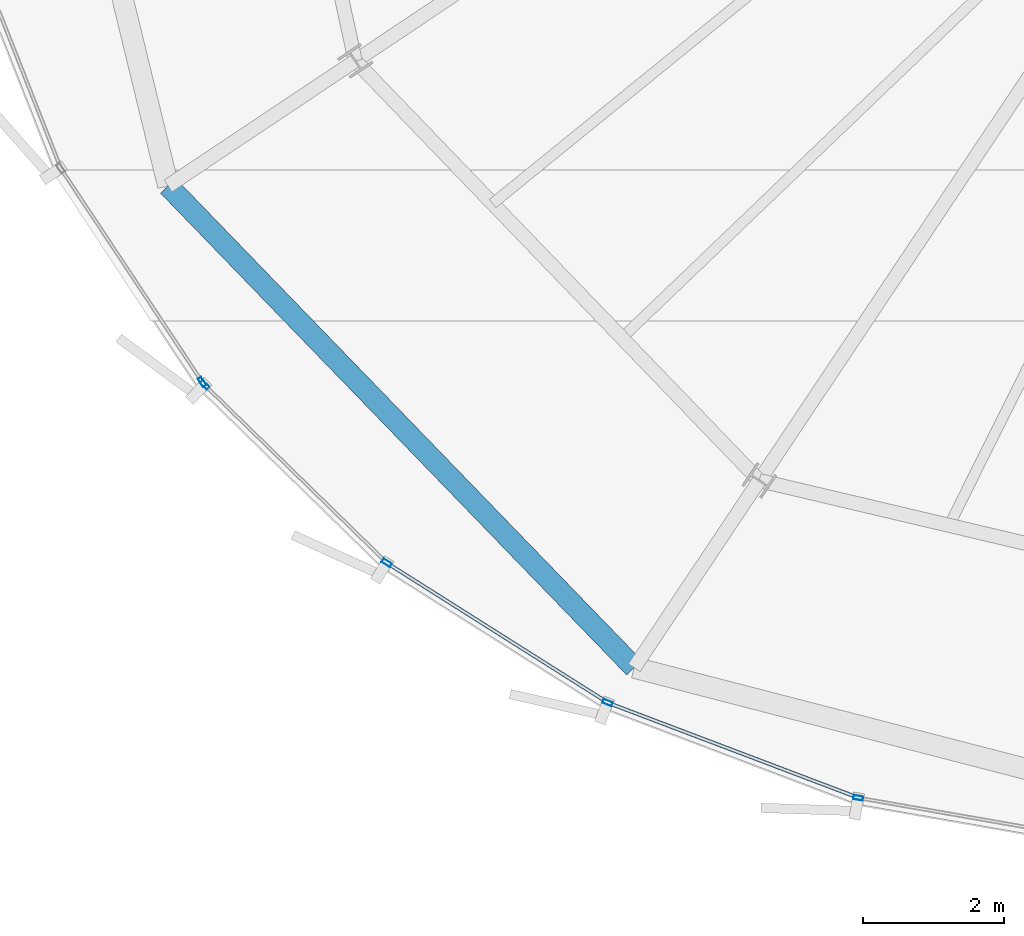
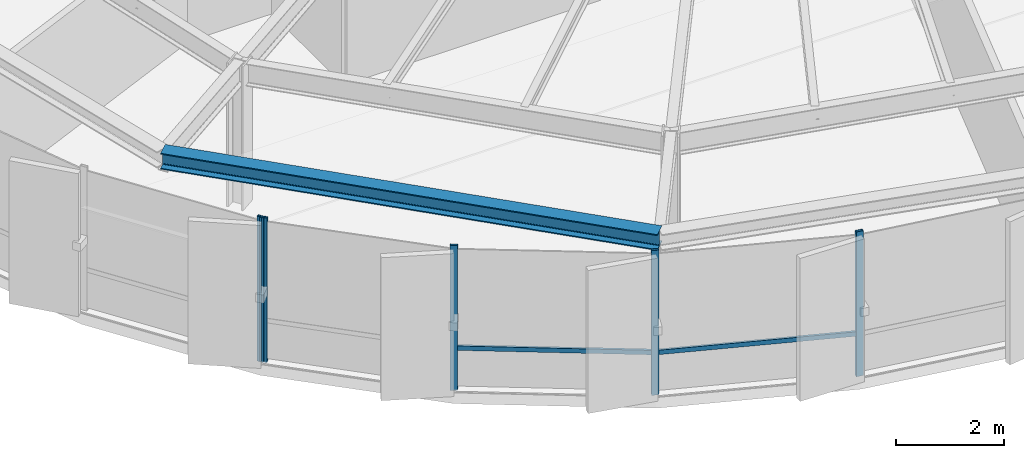
# One storey, part 2 of 35: 7 members, 1 beam, 2 elements without a shape of their own.
"""IFC4 building model written with IfcOpenShell, lengths in metres."""

import ifcopenshell
import ifcopenshell.guid

model = None  # the IFC model being written
_history = None  # IfcOwnerHistory: only IFC2X3 demands one
_inside = {}  # id of a spatial element -> (the spatial element, [elements in it])
_under = {}  # id of a project, library or spatial element -> (it, [spatial elements below it])
_declared = {}  # id of a project -> (the project, [libraries it declares])
_typed = {}  # id of a type object -> (the type object, [elements of that type])
_made_of = {}  # id of a material, layer set ... -> (it, [elements and type objects made of it])


def new_model(schema):
    """Start an empty IFC model of exactly this schema.

    Asked for "IFC4X3", IfcOpenShell would pick the latest addendum, in which some entities
    have other attributes; the version numbers below select the first issue.
    IFC2X3 requires an IfcOwnerHistory on every rooted entity: one is made here for all.
    """
    global model, _history
    if schema == "IFC4X3":
        model = ifcopenshell.file(schema_version=(4, 3, 0, 0))
    else:
        model = ifcopenshell.file(schema=schema)
    _inside.clear()
    _under.clear()
    _declared.clear()
    _typed.clear()
    _made_of.clear()
    _history = None
    if model.schema == "IFC2X3":
        org = make("IfcOrganization", Name="unknown")
        user = make(
            "IfcPersonAndOrganization",
            ThePerson=make("IfcPerson", FamilyName="unknown"),
            TheOrganization=org,
        )
        app = make(
            "IfcApplication",
            ApplicationDeveloper=org,
            Version="unknown",
            ApplicationFullName="unknown",
            ApplicationIdentifier="unknown",
        )
        _history = make(
            "IfcOwnerHistory",
            OwningUser=user,
            OwningApplication=app,
            ChangeAction="ADDED",
            CreationDate=0,
        )
    return model


def make(cls, **values):
    """One entity of the class cls with the attributes given. An attribute that is None is left unset."""
    return model.create_entity(
        cls, **{name: value for name, value in values.items() if value is not None}
    )


def rooted(cls, **values):
    """An entity with a GlobalId (a new one), such as an element, a storey or a relation."""
    return make(cls, GlobalId=ifcopenshell.guid.new(), OwnerHistory=_history, **values)


def si_unit(unit_type, name, prefix=None):
    """IfcSIUnit, for example si_unit("LENGTHUNIT", "METRE", prefix="MILLI")."""
    return make("IfcSIUnit", UnitType=unit_type, Prefix=prefix, Name=name)


def assignment(units):
    """IfcUnitAssignment: the units of a project."""
    return None if units is None else make("IfcUnitAssignment", Units=units)


def point(xyz):
    """IfcCartesianPoint."""
    return None if xyz is None else make("IfcCartesianPoint", Coordinates=xyz)


def direction(xyz):
    """IfcDirection."""
    return None if xyz is None else make("IfcDirection", DirectionRatios=xyz)


def frame(location, z_axis=None, x_axis=None):
    """IfcAxis2Placement3D, a coordinate frame: its origin and axes. An axis left out is left unset."""
    return make(
        "IfcAxis2Placement3D",
        Location=point(location),
        Axis=direction(z_axis),
        RefDirection=direction(x_axis),
    )


def frame_2d(location, x_axis=None):
    """IfcAxis2Placement2D, a coordinate frame in the plane: its origin and x axis."""
    return make(
        "IfcAxis2Placement2D", Location=point(location), RefDirection=direction(x_axis)
    )


def origin():
    """The frame at (0, 0, 0) with its axes left unset."""
    return frame((0.0, 0.0, 0.0))


def origin_2d():
    """The frame at (0, 0) in the plane with its x axis left unset."""
    return frame_2d((0.0, 0.0))


def place(relative_to, where):
    """IfcLocalPlacement: puts the frame where relative to a parent placement (None: the world)."""
    return make(
        "IfcLocalPlacement", PlacementRelTo=relative_to, RelativePlacement=where
    )


def context(
    kind, dimensions, precision=None, world=None, true_north=None, identifier=None
):
    """IfcGeometricRepresentationContext, for example the 3D "Model" context."""
    return make(
        "IfcGeometricRepresentationContext",
        ContextIdentifier=identifier,
        ContextType=kind,
        CoordinateSpaceDimension=dimensions,
        Precision=precision,
        WorldCoordinateSystem=world,
        TrueNorth=true_north,
    )


def subcontext(parent, identifier, kind, view, scale=None):
    """IfcGeometricRepresentationSubContext, for example "Body" below "Model"."""
    return make(
        "IfcGeometricRepresentationSubContext",
        ContextIdentifier=identifier,
        ContextType=kind,
        ParentContext=parent,
        TargetScale=scale,
        TargetView=view,
    )


def project(units=None, contexts=None):
    """IfcProject with its units and contexts."""
    return rooted(
        "IfcProject",
        Name="project",
        RepresentationContexts=contexts,
        UnitsInContext=assignment(units),
    )


def spatial(cls, under=None, at=None, **own):
    """A site, building, storey or space (cls), placed at a placement, below another one or the project."""
    s = rooted(cls, ObjectPlacement=at, **own)
    if under is not None:
        _under.setdefault(under.id(), (under, []))[1].append(s)
    return s


def profile(cls, at=None, kind="AREA", **sizes):
    """A parametric profile (cls). Its sizes go by their IFC names, for example OverallWidth=200.0."""
    return make(cls, ProfileType=kind, Position=at, **sizes)


def hollow_rectangle(**sizes):
    """IfcRectangleHollowProfileDef."""
    return profile("IfcRectangleHollowProfileDef", **sizes)


def i_section(**sizes):
    """IfcIShapeProfileDef."""
    return profile("IfcIShapeProfileDef", **sizes)


def extrude(swept, where, along, depth):
    """IfcExtrudedAreaSolid: the profile swept, set in the frame where, extruded along a direction by depth."""
    return make(
        "IfcExtrudedAreaSolid",
        SweptArea=swept,
        Position=where,
        ExtrudedDirection=direction(along),
        Depth=depth,
    )


def shape(context_of_items, identifier, shape_type, items):
    """IfcShapeRepresentation: the items that make up one representation, for example the "Body"."""
    return make(
        "IfcShapeRepresentation",
        ContextOfItems=context_of_items,
        RepresentationIdentifier=identifier,
        RepresentationType=shape_type,
        Items=items,
    )


def source(mapping_origin, context_of_items, identifier, shape_type, items):
    """IfcRepresentationMap: a shape defined once, which mapped items show again and again."""
    return make(
        "IfcRepresentationMap",
        MappingOrigin=mapping_origin,
        MappedRepresentation=shape(context_of_items, identifier, shape_type, items),
    )


def transform(
    local_origin,
    x_axis=None,
    y_axis=None,
    z_axis=None,
    scale=None,
    scale2=None,
    scale3=None,
    uniform=True,
):
    """IfcCartesianTransformationOperator3D, or its non-uniform kind. x_axis, y_axis, z_axis: its Axis1, 2, 3."""
    if uniform:
        return make(
            "IfcCartesianTransformationOperator3D",
            Axis1=direction(x_axis),
            Axis2=direction(y_axis),
            LocalOrigin=point(local_origin),
            Scale=scale,
            Axis3=direction(z_axis),
        )
    return make(
        "IfcCartesianTransformationOperator3DnonUniform",
        Axis1=direction(x_axis),
        Axis2=direction(y_axis),
        LocalOrigin=point(local_origin),
        Scale=scale,
        Axis3=direction(z_axis),
        Scale2=scale2,
        Scale3=scale3,
    )


def mapped(mapping_source, mapping_target):
    """IfcMappedItem: shows the shape of a source again, moved by a transform."""
    return make(
        "IfcMappedItem", MappingSource=mapping_source, MappingTarget=mapping_target
    )


def material(Name=None, Category=None):
    """IfcMaterial."""
    return make("IfcMaterial", Name=Name, Category=Category)


def layer(
    of_material, thickness, ventilated=None, Name=None, Category=None, Priority=None
):
    """IfcMaterialLayer: one layer of a wall or slab, of a material (None: an air gap)."""
    return make(
        "IfcMaterialLayer",
        Material=of_material,
        LayerThickness=thickness,
        IsVentilated=ventilated,
        Name=Name,
        Category=Category,
        Priority=Priority,
    )


def layer_set(layers, Name=None):
    """IfcMaterialLayerSet."""
    return make("IfcMaterialLayerSet", MaterialLayers=layers, LayerSetName=Name)


def material_profile(
    of_material, cross_section, Name=None, Category=None, Priority=None
):
    """IfcMaterialProfile: a cross section and its material."""
    return make(
        "IfcMaterialProfile",
        Name=Name,
        Material=of_material,
        Profile=cross_section,
        Priority=Priority,
        Category=Category,
    )


def profile_set(profiles, Name=None, composite=None):
    """IfcMaterialProfileSet."""
    return make(
        "IfcMaterialProfileSet",
        Name=Name,
        MaterialProfiles=profiles,
        CompositeProfile=composite,
    )


def made_of(thing, what):
    """Note that an element or type object is made of a material, layer set ...; save() writes the relation."""
    if what is not None:
        _made_of.setdefault(what.id(), (what, []))[1].append(thing)
    return thing


def type_object(cls, material=None, **own):
    """A type object (cls), such as IfcWallType, which elements share."""
    return made_of(rooted(cls, **own), material)


def element(
    cls,
    number,
    at=None,
    inside=None,
    cuts=None,
    type_object=None,
    material=None,
    context=None,
    identifier="Body",
    shape_type=None,
    held_by="IfcProductDefinitionShape",
    body=None,
    shapes=None,
    **own,
):
    """One element of the class cls, such as IfcWall. Its Tag is "e" and its number.

    at: its placement. inside: the storey or other place that contains it. cuts: it is an
    opening in that element (IfcRelVoidsElement). A single representation is given by context,
    identifier, shape_type and body (its items); several are given by shapes. held_by: the class
    of the entity that holds the representations. save() writes the other relations.
    """
    e = rooted(cls, Tag="e%d" % number, ObjectPlacement=at, **own)
    if body is not None:
        shapes = [shape(context, identifier, shape_type, body)]
    if shapes is not None:
        e.Representation = make(held_by, Representations=shapes)
    if inside is not None:
        _inside.setdefault(inside.id(), (inside, []))[1].append(e)
    if cuts is not None:
        rooted(
            "IfcRelVoidsElement", RelatingBuildingElement=cuts, RelatedOpeningElement=e
        )
    if type_object is not None:
        _typed.setdefault(type_object.id(), (type_object, []))[1].append(e)
    return made_of(e, material)


def aggregate(whole, parts):
    """IfcRelAggregates: a whole, such as a stair, and the parts it consists of."""
    return rooted("IfcRelAggregates", RelatingObject=whole, RelatedObjects=parts)


def save(model, path):
    """Write the relations noted so far, then the file.

    IfcRelAggregates (storeys below a building ...), IfcRelContainedInSpatialStructure (elements
    in a storey), IfcRelDefinesByType, IfcRelAssociatesMaterial and IfcRelDeclares: one each for
    every whole, place, type object, material and project.
    """
    for whole, parts in _under.values():
        aggregate(whole, parts)
    for where, things in _inside.values():
        rooted(
            "IfcRelContainedInSpatialStructure",
            RelatedElements=things,
            RelatingStructure=where,
        )
    for kind, things in _typed.values():
        rooted("IfcRelDefinesByType", RelatedObjects=things, RelatingType=kind)
    for what, things in _made_of.values():
        rooted("IfcRelAssociatesMaterial", RelatedObjects=things, RelatingMaterial=what)
    for by, libraries in _declared.values():
        rooted("IfcRelDeclares", RelatingContext=by, RelatedDefinitions=libraries)
    model.write(path)


model = new_model("IFC4")

# Units and contexts
model_context = context("Model", 3, precision=1e-05, world=origin(), true_north=direction((0.0, 1.0)))
body_context = subcontext(model_context, "Body", "Model", "MODEL_VIEW")
ifc_project = project(units=[si_unit("LENGTHUNIT", "METRE"), si_unit("AREAUNIT", "SQUARE_METRE"), si_unit("VOLUMEUNIT", "CUBIC_METRE"), si_unit("PLANEANGLEUNIT", "RADIAN"), si_unit("MASSUNIT", "GRAM", prefix="KILO"), si_unit("THERMODYNAMICTEMPERATUREUNIT", "KELVIN")], contexts=[model_context])

# Site, building, storey
site_placement = place(None, origin())
site = spatial("IfcSite", under=ifc_project, at=site_placement, CompositionType="ELEMENT")
building_placement = place(site_placement, origin())
building = spatial("IfcBuilding", under=site, at=building_placement, Name="Kethvar Cultural Tower", CompositionType="ELEMENT")
storey_placement = place(building_placement, frame((0.0, 0.0, 193.89990234375)))
storey = spatial("IfcBuildingStorey", under=building, at=storey_placement, Name="L50", CompositionType="ELEMENT", Elevation=193.89990234375)

# Beam
ifc_material_1 = material(Name="Steel S355J2", Category="steel")
ifc_material_profile_1 = material_profile(ifc_material_1, i_section(OverallWidth=0.300048828125, OverallDepth=0.360107421875, WebThickness=0.012451171875, FlangeThickness=0.0224609375, FilletRadius=0.027099609375, at=origin_2d()), Name="Steel S355J2 — HEB360")
ifc_profile_set_1 = profile_set([ifc_material_profile_1], Name="Steel S355J2 — HEB360")
beam_type = type_object("IfcBeamType", Name="BM-SP360", PredefinedType="SPANDREL", material=ifc_profile_set_1)
shared_shape_1 = source(origin(), body_context, "Body", "SweptSolid", [
    extrude(i_section(OverallWidth=0.300048828125, OverallDepth=0.360107421875, WebThickness=0.012451171875, FlangeThickness=0.0224609375, FilletRadius=0.027099609375, at=origin_2d()), origin(), (0.0, 0.0, 1.0), 9.531982421875),
])
beam_placement = place(storey_placement, frame((26.556884765625, 14.27392578125, 3.078125), z_axis=(0.695343772208, -0.71867728394, 0.0), x_axis=(0.71867728394, 0.695343772208, 0.0)))
element("IfcBeam", 1, at=beam_placement, inside=storey, type_object=beam_type, Name="L50 Perimeter Spandrel Beam SP-10", PredefinedType="SPANDREL", context=body_context, shape_type="MappedRepresentation", body=[
    mapped(shared_shape_1, transform((0.0, 0.0, 0.0), scale=1.0)),
])

# Curtain wall, member
ifc_material_2 = material(Name="Aluminium 6063-T6", Category="aluminium")
ifc_layer = layer(ifc_material_2, 0.179931640625, Name="Aluminium 6063-T6", Category="aluminium")
ifc_layer_set = layer_set([ifc_layer], Name="Aluminium 6063-T6 (180 mm)")
curtain_wall_type = type_object("IfcCurtainWallType", Name="CW-SYS-04-Z34", PredefinedType="NOTDEFINED", material=ifc_layer_set)
curtain_wall_1_placement = place(storey_placement, origin())
curtain_wall_1 = element("IfcCurtainWall", 2, at=curtain_wall_1_placement, inside=storey, type_object=curtain_wall_type, Name="L50 Curtain Wall Run 03", PredefinedType="NOTDEFINED")
ifc_material_profile_2 = material_profile(ifc_material_2, hollow_rectangle(XDim=0.06005859375, YDim=0.139892578125, WallThickness=0.0048828125, at=origin_2d()), Name="Aluminium 6063-T6 — RHS140x60x5")
ifc_profile_set_2 = profile_set([ifc_material_profile_2], Name="Aluminium 6063-T6 — RHS140x60x5")
member_type_1 = type_object("IfcMemberType", Name="CW-SYS-04-Z34-MUL", PredefinedType="MULLION", material=ifc_profile_set_2)
shared_shape_2 = source(origin(), body_context, "Body", "SweptSolid", [
    extrude(hollow_rectangle(XDim=0.06005859375, YDim=0.139892578125, WallThickness=0.0048828125, at=origin_2d()), origin(), (0.0, 0.0, 1.0), 3.260009765625),
])
member_1_placement = place(storey_placement, frame((27.039306640625, 11.487548828125, 0.0), z_axis=(0.0, 0.0, 1.0), x_axis=(0.833808748998, 0.552053412357, 0.0)))
member_1 = element("IfcMember", 3, at=member_1_placement, type_object=member_type_1, Name="CW-L50-R03 Mullion 7", PredefinedType="MULLION", context=body_context, shape_type="MappedRepresentation", body=[
    mapped(shared_shape_2, transform((0.0, 0.0, 0.0), scale=1.0)),
])
aggregate(curtain_wall_1, [member_1])

# Curtain wall, members
curtain_wall_2_placement = place(storey_placement, origin())
curtain_wall_2 = element("IfcCurtainWall", 4, at=curtain_wall_2_placement, inside=storey, type_object=curtain_wall_type, Name="L50 Curtain Wall Run 04", PredefinedType="NOTDEFINED")
member_2_placement = place(storey_placement, frame((27.07373046875, 11.44580078125, 0.0), z_axis=(0.0, 0.0, 1.0), x_axis=(0.69851520818, 0.715595209557, 0.0)))
member_2 = element("IfcMember", 5, at=member_2_placement, type_object=member_type_1, Name="CW-L50-R04 Mullion 1", PredefinedType="MULLION", context=body_context, shape_type="MappedRepresentation", body=[
    mapped(shared_shape_2, transform((0.0, 0.0, 0.0), scale=1.0)),
])
member_3_placement = place(storey_placement, frame((29.66455078125, 8.913818359375, 0.0), z_axis=(0.0, 0.0, 1.0), x_axis=(0.53435234939, 0.845261833222, 0.0)))
member_3 = element("IfcMember", 6, at=member_3_placement, type_object=member_type_1, Name="CW-L50-R04 Mullion 2", PredefinedType="MULLION", context=body_context, shape_type="MappedRepresentation", body=[
    mapped(shared_shape_2, transform((0.0, 0.0, 0.0), scale=1.0)),
])
member_4_placement = place(storey_placement, frame((32.8037109375, 6.926513671875, 0.0), z_axis=(0.0, 0.0, 1.0), x_axis=(0.354568482601, 0.935030048258, 0.0)))
member_4 = element("IfcMember", 7, at=member_4_placement, type_object=member_type_1, Name="CW-L50-R04 Mullion 3", PredefinedType="MULLION", context=body_context, shape_type="MappedRepresentation", body=[
    mapped(shared_shape_2, transform((0.0, 0.0, 0.0), scale=1.0)),
])
member_5_placement = place(storey_placement, frame((36.369384765625, 5.572265625, 0.0), z_axis=(0.0, 0.0, 1.0), x_axis=(0.17187751984, 0.985118326991, 0.0)))
member_5 = element("IfcMember", 8, at=member_5_placement, type_object=member_type_1, Name="CW-L50-R04 Mullion 4", PredefinedType="MULLION", context=body_context, shape_type="MappedRepresentation", body=[
    mapped(shared_shape_2, transform((0.0, 0.0, 0.0), scale=1.0)),
])
ifc_material_profile_3 = material_profile(ifc_material_2, hollow_rectangle(XDim=0.050048828125, YDim=0.10009765625, WallThickness=0.00390625, at=origin_2d()), Name="Aluminium 6063-T6 — RHS100x50x4")
ifc_profile_set_3 = profile_set([ifc_material_profile_3], Name="Aluminium 6063-T6 — RHS100x50x4")
member_type_2 = type_object("IfcMemberType", Name="CW-SYS-04-Z34-TRN", PredefinedType="USERDEFINED", material=ifc_profile_set_3)
shared_shape_3 = source(origin(), body_context, "Body", "SweptSolid", [
    extrude(hollow_rectangle(XDim=0.050048828125, YDim=0.10009765625, WallThickness=0.00390625, at=origin_2d()), origin(), (0.0, 0.0, 1.0), 3.651123046875),
])
member_6_placement = place(storey_placement, frame((29.700927734375, 8.890625, 0.9501953125), z_axis=(0.845271149511, -0.534337612194, 0.0), x_axis=(0.534337612194, 0.845271149511, 0.0)))
member_6 = element("IfcMember", 9, at=member_6_placement, type_object=member_type_2, Name="CW-L50-R04 Transom 2", ObjectType="TRANSOM", PredefinedType="USERDEFINED", context=body_context, shape_type="MappedRepresentation", body=[
    mapped(shared_shape_3, transform((0.0, 0.0, 0.0), scale=1.0)),
])
shared_shape_4 = source(origin(), body_context, "Body", "SweptSolid", [
    extrude(hollow_rectangle(XDim=0.050048828125, YDim=0.10009765625, WallThickness=0.00390625, at=origin_2d()), origin(), (0.0, 0.0, 1.0), 3.74853515625),
])
member_7_placement = place(storey_placement, frame((32.84423828125, 6.9111328125, 0.9501953125), z_axis=(0.935027312879, -0.354575695968, 0.0), x_axis=(0.354575695968, 0.935027312879, 0.0)))
member_7 = element("IfcMember", 10, at=member_7_placement, type_object=member_type_2, Name="CW-L50-R04 Transom 3", ObjectType="TRANSOM", PredefinedType="USERDEFINED", context=body_context, shape_type="MappedRepresentation", body=[
    mapped(shared_shape_4, transform((0.0, 0.0, 0.0), scale=1.0)),
])
aggregate(curtain_wall_2, [member_2, member_3, member_4, member_5, member_6, member_7])

save(model, "model.ifc")
